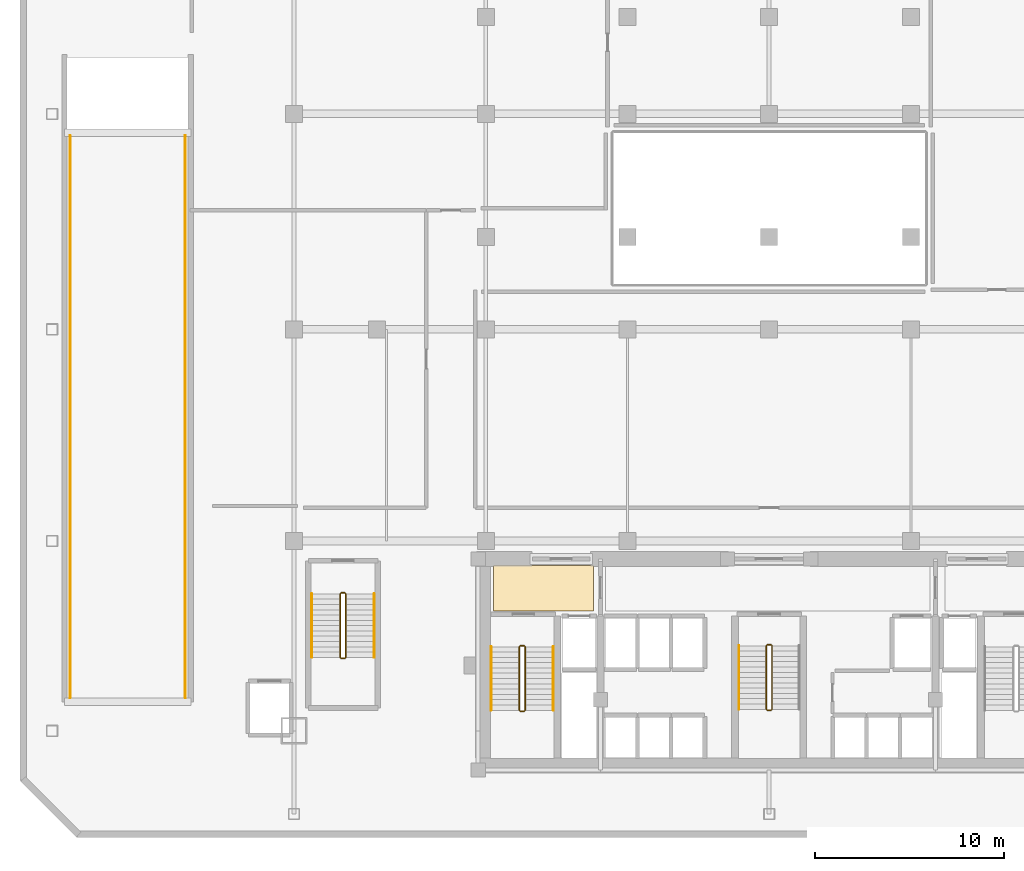
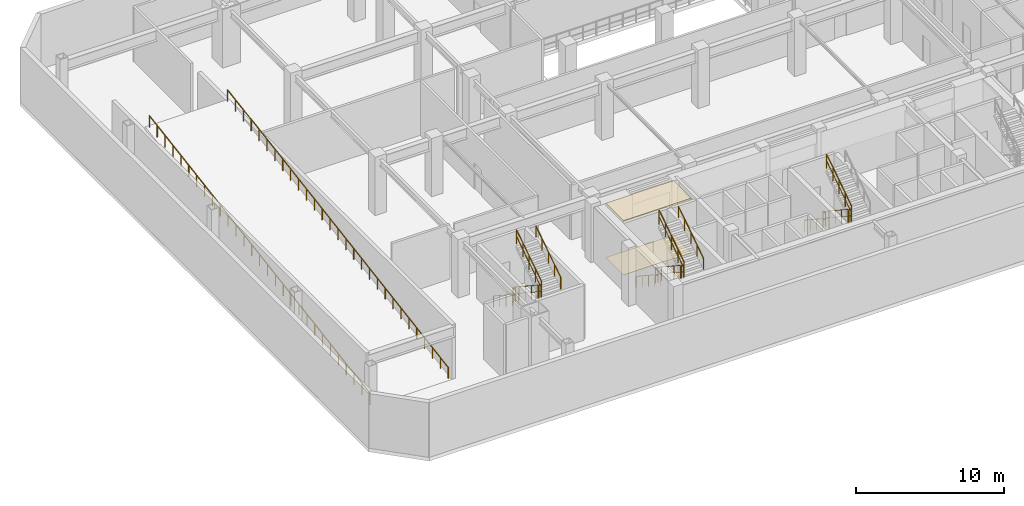
# One storey, part 14 of 15: 19 railings, 2 coverings.
"""IFC4 building model written with IfcOpenShell, lengths in metres."""

from ifc_helpers import new_model, si_unit, direction, frame, origin, origin_2d, place, context, subcontext, project, spatial, polyline, circle, outline, extrude, material, layer, layer_set, type_object, element, save


model = new_model("IFC4")

# Units and contexts
model_context = context("Model", 3, precision=1e-05, world=origin(), true_north=direction((0.0, 1.0)))
body_context = subcontext(model_context, "Body", "Model", "MODEL_VIEW")
ifc_project = project(units=[si_unit("LENGTHUNIT", "METRE"), si_unit("AREAUNIT", "SQUARE_METRE"), si_unit("VOLUMEUNIT", "CUBIC_METRE"), si_unit("PLANEANGLEUNIT", "RADIAN"), si_unit("MASSUNIT", "GRAM", prefix="KILO")], contexts=[model_context])

# Site, building, storey
site_placement = place(None, origin())
site = spatial("IfcSite", under=ifc_project, at=site_placement, CompositionType="ELEMENT")
building_placement = place(site_placement, origin())
building = spatial("IfcBuilding", under=site, at=building_placement, Name="Ventersveld Concourse Tower", CompositionType="ELEMENT")
storey_placement = place(building_placement, frame((0.0, 0.0, 5.39990234375)))
storey = spatial("IfcBuildingStorey", under=building, at=storey_placement, Name="L01", CompositionType="ELEMENT", Elevation=5.39990234375)

# Coverings
ifc_material_1 = material(Name="Mineral-fibre acoustic ceiling tile", Category="gypsum")
ifc_layer_1 = layer(ifc_material_1, 0.0400390625)
ifc_layer_set_1 = layer_set([ifc_layer_1], Name="Mineral-fibre acoustic ceiling tile")
covering_type_1 = type_object("IfcCoveringType", Name="COV-CEIL-ACOUSTIC", PredefinedType="CEILING", material=ifc_layer_set_1)
covering_1_placement = place(storey_placement, frame((0.0, 0.0, 4.460205078125)))
element("IfcCovering", 1, at=covering_1_placement, inside=storey, type_object=covering_type_1, Name="L01 West Firefighting Lobby Acoustic Ceiling", PredefinedType="CEILING", context=body_context, shape_type="SweptSolid", body=[
    extrude(outline(polyline([(14.14990234375, 8.699951171875), (19.449951171875, 8.699951171875), (19.449951171875, 11.10009765625), (14.14990234375, 11.10009765625), (14.14990234375, 8.699951171875)])), origin(), (0.0, 0.0, 1.0), 0.039794921875),
])
ifc_material_2 = material(Name="Polished Highveld granite terrazzo", Category="masonry")
ifc_layer_2 = layer(ifc_material_2, 0.02001953125)
ifc_layer_set_2 = layer_set([ifc_layer_2], Name="Polished Highveld granite terrazzo")
covering_type_2 = type_object("IfcCoveringType", Name="COV-FLOOR-TERRAZZO", PredefinedType="FLOORING", material=ifc_layer_set_2)
covering_2_placement = place(storey_placement, origin())
element("IfcCovering", 2, at=covering_2_placement, inside=storey, type_object=covering_type_2, Name="L01 West Firefighting Lobby Terrazzo Flooring", PredefinedType="FLOORING", context=body_context, shape_type="SweptSolid", body=[
    extrude(outline(polyline([(14.14990234375, 8.699951171875), (19.449951171875, 8.699951171875), (19.449951171875, 11.10009765625), (14.14990234375, 11.10009765625), (14.14990234375, 8.699951171875)])), origin(), (0.0, 0.0, 1.0), 0.02001953125),
])

# Railings
ifc_material_3 = material(Name="Brushed stainless steel 316", Category="steel")
railing_type_1 = type_object("IfcRailingType", Name="GD-BAL-115", PredefinedType="GUARDRAIL", material=ifc_material_3)
railing_1_placement = place(storey_placement, frame((15.530029296875, 6.800048828125, 0.184814453125)))
element("IfcRailing", 3, at=railing_1_placement, inside=storey, type_object=railing_type_1, Name="L01 ST-01 stair guard 1", PredefinedType="GUARDRAIL", context=body_context, shape_type="SweptSolid", body=[
    extrude(circle(Radius=0.02392578125, at=origin_2d()), frame((0.0, 0.0, 1.1259765625), z_axis=(0.0, -0.834876476806, 0.550437342915), x_axis=(1.0, 0.0, 0.0)), (0.0, 0.0, 1.0), 4.024658203125),
    extrude(circle(Radius=0.01611328125, at=origin_2d()), frame((0.0, 0.0, 0.574951171875), z_axis=(0.0, -0.834876476806, 0.550437342915), x_axis=(1.0, 0.0, 0.0)), (0.0, 0.0, 1.0), 4.024658203125),
    extrude(circle(Radius=0.02099609375, at=origin_2d()), origin(), (0.0, 0.0, 1.0), 1.101806640625),
    extrude(circle(Radius=0.02099609375, at=origin_2d()), frame((0.0, -0.840087890625, 0.5537109375)), (0.0, 0.0, 1.0), 1.101806640625),
    extrude(circle(Radius=0.02099609375, at=origin_2d()), frame((0.0, -1.68017578125, 1.107666015625)), (0.0, 0.0, 1.0), 1.101806640625),
    extrude(circle(Radius=0.02099609375, at=origin_2d()), frame((0.0, -2.52001953125, 1.66162109375)), (0.0, 0.0, 1.0), 1.101806640625),
    extrude(circle(Radius=0.02099609375, at=origin_2d()), frame((0.0, -3.360107421875, 2.21533203125)), (0.0, 0.0, 1.0), 1.101806640625),
])
railing_2_placement = place(storey_placement, frame((15.580078125, 3.389892578125, 2.400146484375)))
element("IfcRailing", 4, at=railing_2_placement, inside=storey, type_object=railing_type_1, Name="L01 ST-01 stair guard 2", PredefinedType="GUARDRAIL", context=body_context, shape_type="SweptSolid", body=[
    extrude(circle(Radius=0.02392578125, at=origin_2d()), frame((0.0, 0.0, 1.1259765625), z_axis=(1.0, 0.0, 0.0), x_axis=(0.0, 1.0, 0.0)), (0.0, 0.0, 1.0), 0.199951171875),
    extrude(circle(Radius=0.01611328125, at=origin_2d()), frame((0.0, 0.0, 0.574951171875), z_axis=(1.0, 0.0, 0.0), x_axis=(0.0, 1.0, 0.0)), (0.0, 0.0, 1.0), 0.199951171875),
    extrude(circle(Radius=0.02099609375, at=origin_2d()), origin(), (0.0, 0.0, 1.0), 1.101806640625),
    extrude(circle(Radius=0.02099609375, at=origin_2d()), frame((0.199951171875, 0.0, 0.0)), (0.0, 0.0, 1.0), 1.101806640625),
])
railing_3_placement = place(storey_placement, frame((15.830078125, 3.43994140625, 2.584716796875)))
element("IfcRailing", 5, at=railing_3_placement, inside=storey, type_object=railing_type_1, Name="L01 ST-01 stair guard 3", PredefinedType="GUARDRAIL", context=body_context, shape_type="SweptSolid", body=[
    extrude(circle(Radius=0.02392578125, at=origin_2d()), frame((0.0, 0.0, 1.1259765625), z_axis=(0.0, 0.834876476806, 0.550437342915), x_axis=(-1.0, 0.0, 0.0)), (0.0, 0.0, 1.0), 4.024658203125),
    extrude(circle(Radius=0.01611328125, at=origin_2d()), frame((0.0, 0.0, 0.574951171875), z_axis=(0.0, 0.834876476806, 0.550437342915), x_axis=(-1.0, 0.0, 0.0)), (0.0, 0.0, 1.0), 4.024658203125),
    extrude(circle(Radius=0.02099609375, at=origin_2d()), origin(), (0.0, 0.0, 1.0), 1.101806640625),
    extrude(circle(Radius=0.02099609375, at=origin_2d()), frame((0.0, 0.840087890625, 0.5537109375)), (0.0, 0.0, 1.0), 1.101806640625),
    extrude(circle(Radius=0.02099609375, at=origin_2d()), frame((0.0, 1.68017578125, 1.107666015625)), (0.0, 0.0, 1.0), 1.101806640625),
    extrude(circle(Radius=0.02099609375, at=origin_2d()), frame((0.0, 2.52001953125, 1.66162109375)), (0.0, 0.0, 1.0), 1.101806640625),
    extrude(circle(Radius=0.02099609375, at=origin_2d()), frame((0.0, 3.360107421875, 2.21533203125)), (0.0, 0.0, 1.0), 1.101806640625),
])
railing_4_placement = place(storey_placement, frame((15.580078125, 6.85009765625, 0.0)))
element("IfcRailing", 6, at=railing_4_placement, inside=storey, type_object=railing_type_1, Name="L01 ST-01 stair guard 4", PredefinedType="GUARDRAIL", context=body_context, shape_type="SweptSolid", body=[
    extrude(circle(Radius=0.02392578125, at=origin_2d()), frame((0.0, 0.0, 1.1259765625), z_axis=(1.0, 0.0, 0.0), x_axis=(0.0, 1.0, 0.0)), (0.0, 0.0, 1.0), 0.199951171875),
    extrude(circle(Radius=0.01611328125, at=origin_2d()), frame((0.0, 0.0, 0.574951171875), z_axis=(1.0, 0.0, 0.0), x_axis=(0.0, 1.0, 0.0)), (0.0, 0.0, 1.0), 0.199951171875),
    extrude(circle(Radius=0.02099609375, at=origin_2d()), origin(), (0.0, 0.0, 1.0), 1.101806640625),
    extrude(circle(Radius=0.02099609375, at=origin_2d()), frame((0.199951171875, 0.0, 0.0)), (0.0, 0.0, 1.0), 1.101806640625),
])
railing_5_placement = place(storey_placement, frame((28.60009765625, 6.85009765625, 0.184814453125)))
element("IfcRailing", 7, at=railing_5_placement, inside=storey, type_object=railing_type_1, Name="L01 ST-03 stair guard 1", PredefinedType="GUARDRAIL", context=body_context, shape_type="SweptSolid", body=[
    extrude(circle(Radius=0.02392578125, at=origin_2d()), frame((0.0, 0.0, 1.1259765625), z_axis=(0.0, -0.834876476806, 0.550437342915), x_axis=(1.0, 0.0, 0.0)), (0.0, 0.0, 1.0), 4.024658203125),
    extrude(circle(Radius=0.01611328125, at=origin_2d()), frame((0.0, 0.0, 0.574951171875), z_axis=(0.0, -0.834876476806, 0.550437342915), x_axis=(1.0, 0.0, 0.0)), (0.0, 0.0, 1.0), 4.024658203125),
    extrude(circle(Radius=0.02099609375, at=origin_2d()), origin(), (0.0, 0.0, 1.0), 1.101806640625),
    extrude(circle(Radius=0.02099609375, at=origin_2d()), frame((0.0, -0.840087890625, 0.5537109375)), (0.0, 0.0, 1.0), 1.101806640625),
    extrude(circle(Radius=0.02099609375, at=origin_2d()), frame((0.0, -1.68017578125, 1.107666015625)), (0.0, 0.0, 1.0), 1.101806640625),
    extrude(circle(Radius=0.02099609375, at=origin_2d()), frame((0.0, -2.52001953125, 1.66162109375)), (0.0, 0.0, 1.0), 1.101806640625),
    extrude(circle(Radius=0.02099609375, at=origin_2d()), frame((0.0, -3.360107421875, 2.21533203125)), (0.0, 0.0, 1.0), 1.101806640625),
])
railing_6_placement = place(storey_placement, frame((28.64990234375, 3.43994140625, 2.400146484375)))
element("IfcRailing", 8, at=railing_6_placement, inside=storey, type_object=railing_type_1, Name="L01 ST-03 stair guard 2", PredefinedType="GUARDRAIL", context=body_context, shape_type="SweptSolid", body=[
    extrude(circle(Radius=0.02392578125, at=origin_2d()), frame((0.0, 0.0, 1.1259765625), z_axis=(1.0, 0.0, 0.0), x_axis=(0.0, 1.0, 0.0)), (0.0, 0.0, 1.0), 0.2001953125),
    extrude(circle(Radius=0.01611328125, at=origin_2d()), frame((0.0, 0.0, 0.574951171875), z_axis=(1.0, 0.0, 0.0), x_axis=(0.0, 1.0, 0.0)), (0.0, 0.0, 1.0), 0.2001953125),
    extrude(circle(Radius=0.02099609375, at=origin_2d()), origin(), (0.0, 0.0, 1.0), 1.101806640625),
    extrude(circle(Radius=0.02099609375, at=origin_2d()), frame((0.2001953125, 0.0, 0.0)), (0.0, 0.0, 1.0), 1.101806640625),
])
railing_7_placement = place(storey_placement, frame((28.89990234375, 3.489990234375, 2.584716796875)))
element("IfcRailing", 9, at=railing_7_placement, inside=storey, type_object=railing_type_1, Name="L01 ST-03 stair guard 3", PredefinedType="GUARDRAIL", context=body_context, shape_type="SweptSolid", body=[
    extrude(circle(Radius=0.02392578125, at=origin_2d()), frame((0.0, 0.0, 1.1259765625), z_axis=(0.0, 0.834876476806, 0.550437342915), x_axis=(-1.0, 0.0, 0.0)), (0.0, 0.0, 1.0), 4.024658203125),
    extrude(circle(Radius=0.01611328125, at=origin_2d()), frame((0.0, 0.0, 0.574951171875), z_axis=(0.0, 0.834876476806, 0.550437342915), x_axis=(-1.0, 0.0, 0.0)), (0.0, 0.0, 1.0), 4.024658203125),
    extrude(circle(Radius=0.02099609375, at=origin_2d()), origin(), (0.0, 0.0, 1.0), 1.101806640625),
    extrude(circle(Radius=0.02099609375, at=origin_2d()), frame((0.0, 0.840087890625, 0.5537109375)), (0.0, 0.0, 1.0), 1.101806640625),
    extrude(circle(Radius=0.02099609375, at=origin_2d()), frame((0.0, 1.68017578125, 1.107666015625)), (0.0, 0.0, 1.0), 1.101806640625),
    extrude(circle(Radius=0.02099609375, at=origin_2d()), frame((0.0, 2.52001953125, 1.66162109375)), (0.0, 0.0, 1.0), 1.101806640625),
    extrude(circle(Radius=0.02099609375, at=origin_2d()), frame((0.0, 3.360107421875, 2.21533203125)), (0.0, 0.0, 1.0), 1.101806640625),
])
railing_8_placement = place(storey_placement, frame((28.64990234375, 6.89990234375, 0.0)))
element("IfcRailing", 10, at=railing_8_placement, inside=storey, type_object=railing_type_1, Name="L01 ST-03 stair guard 4", PredefinedType="GUARDRAIL", context=body_context, shape_type="SweptSolid", body=[
    extrude(circle(Radius=0.02392578125, at=origin_2d()), frame((0.0, 0.0, 1.1259765625), z_axis=(1.0, 0.0, 0.0), x_axis=(0.0, 1.0, 0.0)), (0.0, 0.0, 1.0), 0.2001953125),
    extrude(circle(Radius=0.01611328125, at=origin_2d()), frame((0.0, 0.0, 0.574951171875), z_axis=(1.0, 0.0, 0.0), x_axis=(0.0, 1.0, 0.0)), (0.0, 0.0, 1.0), 0.2001953125),
    extrude(circle(Radius=0.02099609375, at=origin_2d()), origin(), (0.0, 0.0, 1.0), 1.101806640625),
    extrude(circle(Radius=0.02099609375, at=origin_2d()), frame((0.2001953125, 0.0, 0.0)), (0.0, 0.0, 1.0), 1.101806640625),
])
railing_9_placement = place(storey_placement, frame((6.050048828125, 9.60009765625, 0.184814453125)))
element("IfcRailing", 11, at=railing_9_placement, inside=storey, type_object=railing_type_1, Name="L01 ST-04 stair guard 1", PredefinedType="GUARDRAIL", context=body_context, shape_type="SweptSolid", body=[
    extrude(circle(Radius=0.02392578125, at=origin_2d()), frame((0.0, 0.0, 1.1259765625), z_axis=(0.0, -0.834876476806, 0.550437342915), x_axis=(1.0, 0.0, 0.0)), (0.0, 0.0, 1.0), 4.024658203125),
    extrude(circle(Radius=0.01611328125, at=origin_2d()), frame((0.0, 0.0, 0.574951171875), z_axis=(0.0, -0.834876476806, 0.550437342915), x_axis=(1.0, 0.0, 0.0)), (0.0, 0.0, 1.0), 4.024658203125),
    extrude(circle(Radius=0.02099609375, at=origin_2d()), origin(), (0.0, 0.0, 1.0), 1.101806640625),
    extrude(circle(Radius=0.02099609375, at=origin_2d()), frame((0.0, -0.840087890625, 0.5537109375)), (0.0, 0.0, 1.0), 1.101806640625),
    extrude(circle(Radius=0.02099609375, at=origin_2d()), frame((0.0, -1.68017578125, 1.107666015625)), (0.0, 0.0, 1.0), 1.101806640625),
    extrude(circle(Radius=0.02099609375, at=origin_2d()), frame((0.0, -2.52001953125, 1.66162109375)), (0.0, 0.0, 1.0), 1.101806640625),
    extrude(circle(Radius=0.02099609375, at=origin_2d()), frame((0.0, -3.360107421875, 2.21533203125)), (0.0, 0.0, 1.0), 1.101806640625),
])
railing_10_placement = place(storey_placement, frame((6.10009765625, 6.18994140625, 2.400146484375)))
element("IfcRailing", 12, at=railing_10_placement, inside=storey, type_object=railing_type_1, Name="L01 ST-04 stair guard 2", PredefinedType="GUARDRAIL", context=body_context, shape_type="SweptSolid", body=[
    extrude(circle(Radius=0.02392578125, at=origin_2d()), frame((0.0, 0.0, 1.1259765625), z_axis=(1.0, 0.0, 0.0), x_axis=(0.0, 1.0, 0.0)), (0.0, 0.0, 1.0), 0.199951171875),
    extrude(circle(Radius=0.01611328125, at=origin_2d()), frame((0.0, 0.0, 0.574951171875), z_axis=(1.0, 0.0, 0.0), x_axis=(0.0, 1.0, 0.0)), (0.0, 0.0, 1.0), 0.199951171875),
    extrude(circle(Radius=0.02099609375, at=origin_2d()), origin(), (0.0, 0.0, 1.0), 1.101806640625),
    extrude(circle(Radius=0.02099609375, at=origin_2d()), frame((0.199951171875, 0.0, 0.0)), (0.0, 0.0, 1.0), 1.101806640625),
])
railing_11_placement = place(storey_placement, frame((6.35009765625, 6.239990234375, 2.584716796875)))
element("IfcRailing", 13, at=railing_11_placement, inside=storey, type_object=railing_type_1, Name="L01 ST-04 stair guard 3", PredefinedType="GUARDRAIL", context=body_context, shape_type="SweptSolid", body=[
    extrude(circle(Radius=0.02392578125, at=origin_2d()), frame((0.0, 0.0, 1.1259765625), z_axis=(0.0, 0.834876476806, 0.550437342915), x_axis=(-1.0, 0.0, 0.0)), (0.0, 0.0, 1.0), 4.024658203125),
    extrude(circle(Radius=0.01611328125, at=origin_2d()), frame((0.0, 0.0, 0.574951171875), z_axis=(0.0, 0.834876476806, 0.550437342915), x_axis=(-1.0, 0.0, 0.0)), (0.0, 0.0, 1.0), 4.024658203125),
    extrude(circle(Radius=0.02099609375, at=origin_2d()), origin(), (0.0, 0.0, 1.0), 1.101806640625),
    extrude(circle(Radius=0.02099609375, at=origin_2d()), frame((0.0, 0.840087890625, 0.5537109375)), (0.0, 0.0, 1.0), 1.101806640625),
    extrude(circle(Radius=0.02099609375, at=origin_2d()), frame((0.0, 1.68017578125, 1.107666015625)), (0.0, 0.0, 1.0), 1.101806640625),
    extrude(circle(Radius=0.02099609375, at=origin_2d()), frame((0.0, 2.52001953125, 1.66162109375)), (0.0, 0.0, 1.0), 1.101806640625),
    extrude(circle(Radius=0.02099609375, at=origin_2d()), frame((0.0, 3.360107421875, 2.21533203125)), (0.0, 0.0, 1.0), 1.101806640625),
])
railing_12_placement = place(storey_placement, frame((6.10009765625, 9.64990234375, 0.0)))
element("IfcRailing", 14, at=railing_12_placement, inside=storey, type_object=railing_type_1, Name="L01 ST-04 stair guard 4", PredefinedType="GUARDRAIL", context=body_context, shape_type="SweptSolid", body=[
    extrude(circle(Radius=0.02392578125, at=origin_2d()), frame((0.0, 0.0, 1.1259765625), z_axis=(1.0, 0.0, 0.0), x_axis=(0.0, 1.0, 0.0)), (0.0, 0.0, 1.0), 0.199951171875),
    extrude(circle(Radius=0.01611328125, at=origin_2d()), frame((0.0, 0.0, 0.574951171875), z_axis=(1.0, 0.0, 0.0), x_axis=(0.0, 1.0, 0.0)), (0.0, 0.0, 1.0), 0.199951171875),
    extrude(circle(Radius=0.02099609375, at=origin_2d()), origin(), (0.0, 0.0, 1.0), 1.101806640625),
    extrude(circle(Radius=0.02099609375, at=origin_2d()), frame((0.199951171875, 0.0, 0.0)), (0.0, 0.0, 1.0), 1.101806640625),
])
railing_type_2 = type_object("IfcRailingType", Name="HR-RMP-095", PredefinedType="HANDRAIL", material=ifc_material_3)
railing_13_placement = place(storey_placement, frame((14.030029296875, 6.800048828125, 0.184814453125)))
element("IfcRailing", 15, at=railing_13_placement, inside=storey, type_object=railing_type_2, Name="L01 ST-01 stair handrail 1", PredefinedType="HANDRAIL", context=body_context, shape_type="SweptSolid", body=[
    extrude(circle(Radius=0.02392578125, at=origin_2d()), frame((0.0, 0.0, 0.92578125), z_axis=(0.0, -0.834876476806, 0.550437342915), x_axis=(1.0, 0.0, 0.0)), (0.0, 0.0, 1.0), 4.024658203125),
    extrude(circle(Radius=0.02099609375, at=origin_2d()), origin(), (0.0, 0.0, 1.0), 0.90185546875),
    extrude(circle(Radius=0.02099609375, at=origin_2d()), frame((0.0, -0.840087890625, 0.5537109375)), (0.0, 0.0, 1.0), 0.90185546875),
    extrude(circle(Radius=0.02099609375, at=origin_2d()), frame((0.0, -1.68017578125, 1.107666015625)), (0.0, 0.0, 1.0), 0.90185546875),
    extrude(circle(Radius=0.02099609375, at=origin_2d()), frame((0.0, -2.52001953125, 1.66162109375)), (0.0, 0.0, 1.0), 0.90185546875),
    extrude(circle(Radius=0.02099609375, at=origin_2d()), frame((0.0, -3.360107421875, 2.21533203125)), (0.0, 0.0, 1.0), 0.90185546875),
])
railing_14_placement = place(storey_placement, frame((17.330078125, 3.43994140625, 2.584716796875)))
element("IfcRailing", 16, at=railing_14_placement, inside=storey, type_object=railing_type_2, Name="L01 ST-01 stair handrail 2", PredefinedType="HANDRAIL", context=body_context, shape_type="SweptSolid", body=[
    extrude(circle(Radius=0.02392578125, at=origin_2d()), frame((0.0, 0.0, 0.92578125), z_axis=(0.0, 0.834876476806, 0.550437342915), x_axis=(-1.0, 0.0, 0.0)), (0.0, 0.0, 1.0), 4.024658203125),
    extrude(circle(Radius=0.02099609375, at=origin_2d()), origin(), (0.0, 0.0, 1.0), 0.90185546875),
    extrude(circle(Radius=0.02099609375, at=origin_2d()), frame((0.0, 0.840087890625, 0.5537109375)), (0.0, 0.0, 1.0), 0.90185546875),
    extrude(circle(Radius=0.02099609375, at=origin_2d()), frame((0.0, 1.68017578125, 1.107666015625)), (0.0, 0.0, 1.0), 0.90185546875),
    extrude(circle(Radius=0.02099609375, at=origin_2d()), frame((0.0, 2.52001953125, 1.66162109375)), (0.0, 0.0, 1.0), 0.90185546875),
    extrude(circle(Radius=0.02099609375, at=origin_2d()), frame((0.0, 3.360107421875, 2.21533203125)), (0.0, 0.0, 1.0), 0.90185546875),
])
for number, where, name in (
    (17, (27.14990234375, 6.85009765625, 0.184814453125), "L01 ST-03 stair handrail 1"),
    (18, (4.550048828125, 9.60009765625, 0.184814453125), "L01 ST-04 stair handrail 1"),
):
    element("IfcRailing", number, at=place(storey_placement, frame(where)), inside=storey, type_object=railing_type_2, Name=name, PredefinedType="HANDRAIL", context=body_context, shape_type="SweptSolid", body=[
        extrude(circle(Radius=0.02392578125, at=origin_2d()), frame((0.0, 0.0, 0.92578125), z_axis=(0.0, -0.834876476806, 0.550437342915), x_axis=(1.0, 0.0, 0.0)), (0.0, 0.0, 1.0), 4.024658203125),
        extrude(circle(Radius=0.02099609375, at=origin_2d()), origin(), (0.0, 0.0, 1.0), 0.90185546875),
        extrude(circle(Radius=0.02099609375, at=origin_2d()), frame((0.0, -0.840087890625, 0.5537109375)), (0.0, 0.0, 1.0), 0.90185546875),
        extrude(circle(Radius=0.02099609375, at=origin_2d()), frame((0.0, -1.68017578125, 1.107666015625)), (0.0, 0.0, 1.0), 0.90185546875),
        extrude(circle(Radius=0.02099609375, at=origin_2d()), frame((0.0, -2.52001953125, 1.66162109375)), (0.0, 0.0, 1.0), 0.90185546875),
        extrude(circle(Radius=0.02099609375, at=origin_2d()), frame((0.0, -3.360107421875, 2.21533203125)), (0.0, 0.0, 1.0), 0.90185546875),
    ])
railing_15_placement = place(storey_placement, frame((7.85009765625, 6.239990234375, 2.584716796875)))
element("IfcRailing", 19, at=railing_15_placement, inside=storey, type_object=railing_type_2, Name="L01 ST-04 stair handrail 2", PredefinedType="HANDRAIL", context=body_context, shape_type="SweptSolid", body=[
    extrude(circle(Radius=0.02392578125, at=origin_2d()), frame((0.0, 0.0, 0.92578125), z_axis=(0.0, 0.834876476806, 0.550437342915), x_axis=(-1.0, 0.0, 0.0)), (0.0, 0.0, 1.0), 4.024658203125),
    extrude(circle(Radius=0.02099609375, at=origin_2d()), origin(), (0.0, 0.0, 1.0), 0.90185546875),
    extrude(circle(Radius=0.02099609375, at=origin_2d()), frame((0.0, 0.840087890625, 0.5537109375)), (0.0, 0.0, 1.0), 0.90185546875),
    extrude(circle(Radius=0.02099609375, at=origin_2d()), frame((0.0, 1.68017578125, 1.107666015625)), (0.0, 0.0, 1.0), 0.90185546875),
    extrude(circle(Radius=0.02099609375, at=origin_2d()), frame((0.0, 2.52001953125, 1.66162109375)), (0.0, 0.0, 1.0), 0.90185546875),
    extrude(circle(Radius=0.02099609375, at=origin_2d()), frame((0.0, 3.360107421875, 2.21533203125)), (0.0, 0.0, 1.0), 0.90185546875),
])
railing_16_placement = place(storey_placement, frame((-8.25, 4.10009765625, 0.0)))
element("IfcRailing", 20, at=railing_16_placement, inside=storey, type_object=railing_type_2, Name="L01 Vehicular Ramp Handrail W", PredefinedType="HANDRAIL", context=body_context, shape_type="SweptSolid", body=[
    extrude(circle(Radius=0.02392578125, at=origin_2d()), frame((0.0, 0.0, 0.92578125), z_axis=(0.0, 0.987232450668, 0.159286183795), x_axis=(-1.0, 0.0, 0.0)), (0.0, 0.0, 1.0), 30.134765625),
    extrude(circle(Radius=0.02099609375, at=origin_2d()), origin(), (0.0, 0.0, 1.0), 0.90185546875),
    extrude(circle(Radius=0.02099609375, at=origin_2d()), frame((0.0, 1.0625, 0.17138671875)), (0.0, 0.0, 1.0), 0.90185546875),
    extrude(circle(Radius=0.02099609375, at=origin_2d()), frame((0.0, 2.125, 0.3427734375)), (0.0, 0.0, 1.0), 0.90185546875),
    extrude(circle(Radius=0.02099609375, at=origin_2d()), frame((0.0, 3.1875, 0.514404296875)), (0.0, 0.0, 1.0), 0.90185546875),
    extrude(circle(Radius=0.02099609375, at=origin_2d()), frame((0.0, 4.25, 0.685791015625)), (0.0, 0.0, 1.0), 0.90185546875),
    extrude(circle(Radius=0.02099609375, at=origin_2d()), frame((0.0, 5.3125, 0.857177734375)), (0.0, 0.0, 1.0), 0.90185546875),
    extrude(circle(Radius=0.02099609375, at=origin_2d()), frame((0.0, 6.375, 1.028564453125)), (0.0, 0.0, 1.0), 0.90185546875),
    extrude(circle(Radius=0.02099609375, at=origin_2d()), frame((0.0, 7.4375, 1.199951171875)), (0.0, 0.0, 1.0), 0.90185546875),
    extrude(circle(Radius=0.02099609375, at=origin_2d()), frame((0.0, 8.5, 1.371337890625)), (0.0, 0.0, 1.0), 0.90185546875),
    extrude(circle(Radius=0.02099609375, at=origin_2d()), frame((0.0, 9.5625, 1.54296875)), (0.0, 0.0, 1.0), 0.90185546875),
    extrude(circle(Radius=0.02099609375, at=origin_2d()), frame((0.0, 10.625, 1.71435546875)), (0.0, 0.0, 1.0), 0.90185546875),
    extrude(circle(Radius=0.02099609375, at=origin_2d()), frame((0.0, 11.6875, 1.8857421875)), (0.0, 0.0, 1.0), 0.90185546875),
    extrude(circle(Radius=0.02099609375, at=origin_2d()), frame((0.0, 12.75, 2.05712890625)), (0.0, 0.0, 1.0), 0.90185546875),
    extrude(circle(Radius=0.02099609375, at=origin_2d()), frame((0.0, 13.8125, 2.228515625)), (0.0, 0.0, 1.0), 0.90185546875),
    extrude(circle(Radius=0.02099609375, at=origin_2d()), frame((0.0, 14.875, 2.39990234375)), (0.0, 0.0, 1.0), 0.90185546875),
    extrude(circle(Radius=0.02099609375, at=origin_2d()), frame((0.0, 15.9375, 2.571533203125)), (0.0, 0.0, 1.0), 0.90185546875),
    extrude(circle(Radius=0.02099609375, at=origin_2d()), frame((0.0, 17.0, 2.742919921875)), (0.0, 0.0, 1.0), 0.90185546875),
    extrude(circle(Radius=0.02099609375, at=origin_2d()), frame((0.0, 18.0625, 2.914306640625)), (0.0, 0.0, 1.0), 0.90185546875),
    extrude(circle(Radius=0.02099609375, at=origin_2d()), frame((0.0, 19.125, 3.085693359375)), (0.0, 0.0, 1.0), 0.90185546875),
    extrude(circle(Radius=0.02099609375, at=origin_2d()), frame((0.0, 20.1875, 3.257080078125)), (0.0, 0.0, 1.0), 0.90185546875),
    extrude(circle(Radius=0.02099609375, at=origin_2d()), frame((0.0, 21.25, 3.4287109375)), (0.0, 0.0, 1.0), 0.90185546875),
    extrude(circle(Radius=0.02099609375, at=origin_2d()), frame((0.0, 22.3125, 3.60009765625)), (0.0, 0.0, 1.0), 0.90185546875),
    extrude(circle(Radius=0.02099609375, at=origin_2d()), frame((0.0, 23.375, 3.771484375)), (0.0, 0.0, 1.0), 0.90185546875),
    extrude(circle(Radius=0.02099609375, at=origin_2d()), frame((0.0, 24.4375, 3.94287109375)), (0.0, 0.0, 1.0), 0.90185546875),
    extrude(circle(Radius=0.02099609375, at=origin_2d()), frame((0.0, 25.5, 4.1142578125)), (0.0, 0.0, 1.0), 0.90185546875),
    extrude(circle(Radius=0.02099609375, at=origin_2d()), frame((0.0, 26.5625, 4.28564453125)), (0.0, 0.0, 1.0), 0.90185546875),
    extrude(circle(Radius=0.02099609375, at=origin_2d()), frame((0.0, 27.625, 4.457275390625)), (0.0, 0.0, 1.0), 0.90185546875),
    extrude(circle(Radius=0.02099609375, at=origin_2d()), frame((0.0, 28.6875, 4.628662109375)), (0.0, 0.0, 1.0), 0.90185546875),
    extrude(circle(Radius=0.02099609375, at=origin_2d()), frame((0.0, 29.75, 4.800048828125)), (0.0, 0.0, 1.0), 0.90185546875),
])
railing_17_placement = place(storey_placement, frame((-2.14990234375, 4.10009765625, 0.0)))
element("IfcRailing", 21, at=railing_17_placement, inside=storey, type_object=railing_type_2, Name="L01 Vehicular Ramp Handrail E", PredefinedType="HANDRAIL", context=body_context, shape_type="SweptSolid", body=[
    extrude(circle(Radius=0.02392578125, at=origin_2d()), frame((0.0, 0.0, 0.92578125), z_axis=(0.0, 0.987232450668, 0.159286183795), x_axis=(-1.0, 0.0, 0.0)), (0.0, 0.0, 1.0), 30.134765625),
    extrude(circle(Radius=0.02099609375, at=origin_2d()), origin(), (0.0, 0.0, 1.0), 0.90185546875),
    extrude(circle(Radius=0.02099609375, at=origin_2d()), frame((0.0, 1.0625, 0.17138671875)), (0.0, 0.0, 1.0), 0.90185546875),
    extrude(circle(Radius=0.02099609375, at=origin_2d()), frame((0.0, 2.125, 0.3427734375)), (0.0, 0.0, 1.0), 0.90185546875),
    extrude(circle(Radius=0.02099609375, at=origin_2d()), frame((0.0, 3.1875, 0.514404296875)), (0.0, 0.0, 1.0), 0.90185546875),
    extrude(circle(Radius=0.02099609375, at=origin_2d()), frame((0.0, 4.25, 0.685791015625)), (0.0, 0.0, 1.0), 0.90185546875),
    extrude(circle(Radius=0.02099609375, at=origin_2d()), frame((0.0, 5.3125, 0.857177734375)), (0.0, 0.0, 1.0), 0.90185546875),
    extrude(circle(Radius=0.02099609375, at=origin_2d()), frame((0.0, 6.375, 1.028564453125)), (0.0, 0.0, 1.0), 0.90185546875),
    extrude(circle(Radius=0.02099609375, at=origin_2d()), frame((0.0, 7.4375, 1.199951171875)), (0.0, 0.0, 1.0), 0.90185546875),
    extrude(circle(Radius=0.02099609375, at=origin_2d()), frame((0.0, 8.5, 1.371337890625)), (0.0, 0.0, 1.0), 0.90185546875),
    extrude(circle(Radius=0.02099609375, at=origin_2d()), frame((0.0, 9.5625, 1.54296875)), (0.0, 0.0, 1.0), 0.90185546875),
    extrude(circle(Radius=0.02099609375, at=origin_2d()), frame((0.0, 10.625, 1.71435546875)), (0.0, 0.0, 1.0), 0.90185546875),
    extrude(circle(Radius=0.02099609375, at=origin_2d()), frame((0.0, 11.6875, 1.8857421875)), (0.0, 0.0, 1.0), 0.90185546875),
    extrude(circle(Radius=0.02099609375, at=origin_2d()), frame((0.0, 12.75, 2.05712890625)), (0.0, 0.0, 1.0), 0.90185546875),
    extrude(circle(Radius=0.02099609375, at=origin_2d()), frame((0.0, 13.8125, 2.228515625)), (0.0, 0.0, 1.0), 0.90185546875),
    extrude(circle(Radius=0.02099609375, at=origin_2d()), frame((0.0, 14.875, 2.39990234375)), (0.0, 0.0, 1.0), 0.90185546875),
    extrude(circle(Radius=0.02099609375, at=origin_2d()), frame((0.0, 15.9375, 2.571533203125)), (0.0, 0.0, 1.0), 0.90185546875),
    extrude(circle(Radius=0.02099609375, at=origin_2d()), frame((0.0, 17.0, 2.742919921875)), (0.0, 0.0, 1.0), 0.90185546875),
    extrude(circle(Radius=0.02099609375, at=origin_2d()), frame((0.0, 18.0625, 2.914306640625)), (0.0, 0.0, 1.0), 0.90185546875),
    extrude(circle(Radius=0.02099609375, at=origin_2d()), frame((0.0, 19.125, 3.085693359375)), (0.0, 0.0, 1.0), 0.90185546875),
    extrude(circle(Radius=0.02099609375, at=origin_2d()), frame((0.0, 20.1875, 3.257080078125)), (0.0, 0.0, 1.0), 0.90185546875),
    extrude(circle(Radius=0.02099609375, at=origin_2d()), frame((0.0, 21.25, 3.4287109375)), (0.0, 0.0, 1.0), 0.90185546875),
    extrude(circle(Radius=0.02099609375, at=origin_2d()), frame((0.0, 22.3125, 3.60009765625)), (0.0, 0.0, 1.0), 0.90185546875),
    extrude(circle(Radius=0.02099609375, at=origin_2d()), frame((0.0, 23.375, 3.771484375)), (0.0, 0.0, 1.0), 0.90185546875),
    extrude(circle(Radius=0.02099609375, at=origin_2d()), frame((0.0, 24.4375, 3.94287109375)), (0.0, 0.0, 1.0), 0.90185546875),
    extrude(circle(Radius=0.02099609375, at=origin_2d()), frame((0.0, 25.5, 4.1142578125)), (0.0, 0.0, 1.0), 0.90185546875),
    extrude(circle(Radius=0.02099609375, at=origin_2d()), frame((0.0, 26.5625, 4.28564453125)), (0.0, 0.0, 1.0), 0.90185546875),
    extrude(circle(Radius=0.02099609375, at=origin_2d()), frame((0.0, 27.625, 4.457275390625)), (0.0, 0.0, 1.0), 0.90185546875),
    extrude(circle(Radius=0.02099609375, at=origin_2d()), frame((0.0, 28.6875, 4.628662109375)), (0.0, 0.0, 1.0), 0.90185546875),
    extrude(circle(Radius=0.02099609375, at=origin_2d()), frame((0.0, 29.75, 4.800048828125)), (0.0, 0.0, 1.0), 0.90185546875),
])

save(model, "model.ifc")
